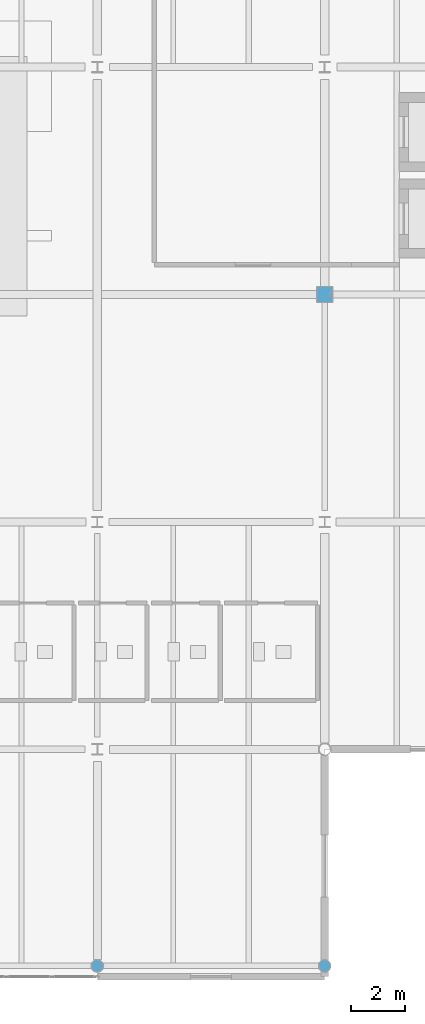
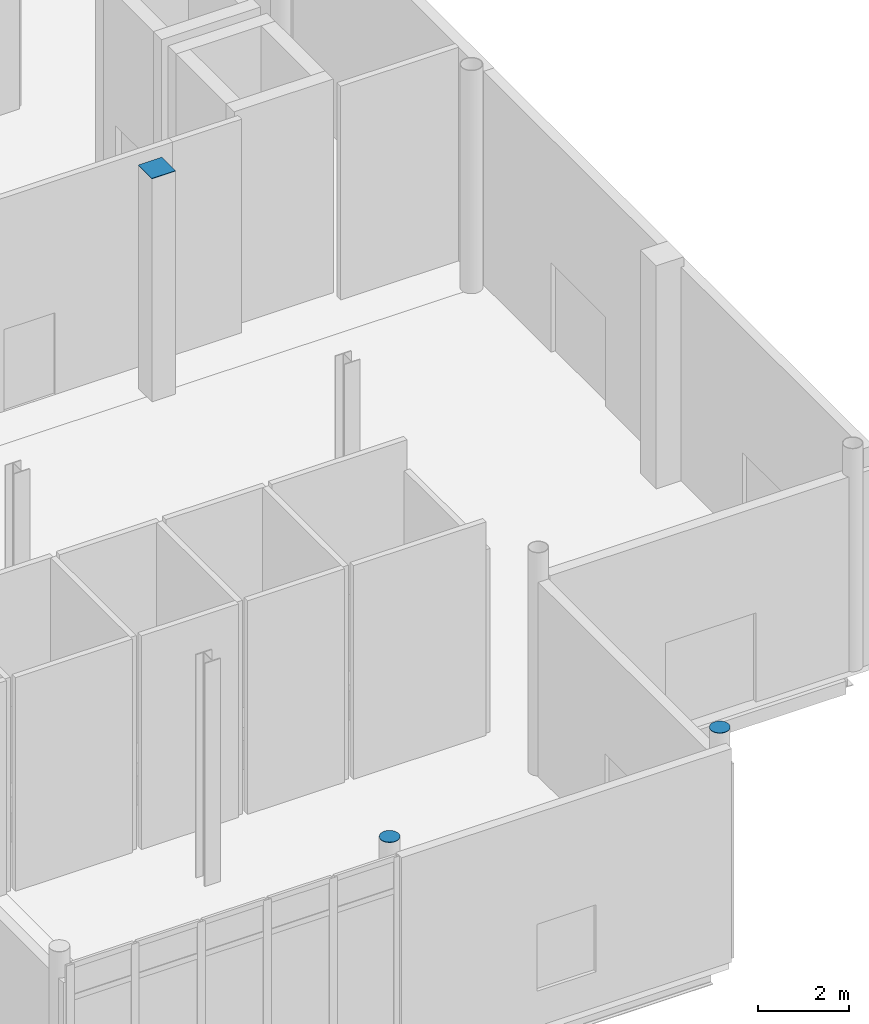
# One storey, part 61 of 85: 3 discrete accessories.
"""IFC4 building model written with IfcOpenShell, lengths in metres."""

import ifcopenshell
import ifcopenshell.guid

model = None  # the IFC model being written
_history = None  # IfcOwnerHistory: only IFC2X3 demands one
_inside = {}  # id of a spatial element -> (the spatial element, [elements in it])
_under = {}  # id of a project, library or spatial element -> (it, [spatial elements below it])
_declared = {}  # id of a project -> (the project, [libraries it declares])
_typed = {}  # id of a type object -> (the type object, [elements of that type])
_made_of = {}  # id of a material, layer set ... -> (it, [elements and type objects made of it])


def new_model(schema):
    """Start an empty IFC model of exactly this schema.

    Asked for "IFC4X3", IfcOpenShell would pick the latest addendum, in which some entities
    have other attributes; the version numbers below select the first issue.
    IFC2X3 requires an IfcOwnerHistory on every rooted entity: one is made here for all.
    """
    global model, _history
    if schema == "IFC4X3":
        model = ifcopenshell.file(schema_version=(4, 3, 0, 0))
    else:
        model = ifcopenshell.file(schema=schema)
    _inside.clear()
    _under.clear()
    _declared.clear()
    _typed.clear()
    _made_of.clear()
    _history = None
    if model.schema == "IFC2X3":
        org = make("IfcOrganization", Name="unknown")
        user = make(
            "IfcPersonAndOrganization",
            ThePerson=make("IfcPerson", FamilyName="unknown"),
            TheOrganization=org,
        )
        app = make(
            "IfcApplication",
            ApplicationDeveloper=org,
            Version="unknown",
            ApplicationFullName="unknown",
            ApplicationIdentifier="unknown",
        )
        _history = make(
            "IfcOwnerHistory",
            OwningUser=user,
            OwningApplication=app,
            ChangeAction="ADDED",
            CreationDate=0,
        )
    return model


def make(cls, **values):
    """One entity of the class cls with the attributes given. An attribute that is None is left unset."""
    return model.create_entity(
        cls, **{name: value for name, value in values.items() if value is not None}
    )


def rooted(cls, **values):
    """An entity with a GlobalId (a new one), such as an element, a storey or a relation."""
    return make(cls, GlobalId=ifcopenshell.guid.new(), OwnerHistory=_history, **values)


def si_unit(unit_type, name, prefix=None):
    """IfcSIUnit, for example si_unit("LENGTHUNIT", "METRE", prefix="MILLI")."""
    return make("IfcSIUnit", UnitType=unit_type, Prefix=prefix, Name=name)


def assignment(units):
    """IfcUnitAssignment: the units of a project."""
    return None if units is None else make("IfcUnitAssignment", Units=units)


def point(xyz):
    """IfcCartesianPoint."""
    return None if xyz is None else make("IfcCartesianPoint", Coordinates=xyz)


def direction(xyz):
    """IfcDirection."""
    return None if xyz is None else make("IfcDirection", DirectionRatios=xyz)


def frame(location, z_axis=None, x_axis=None):
    """IfcAxis2Placement3D, a coordinate frame: its origin and axes. An axis left out is left unset."""
    return make(
        "IfcAxis2Placement3D",
        Location=point(location),
        Axis=direction(z_axis),
        RefDirection=direction(x_axis),
    )


def frame_2d(location, x_axis=None):
    """IfcAxis2Placement2D, a coordinate frame in the plane: its origin and x axis."""
    return make(
        "IfcAxis2Placement2D", Location=point(location), RefDirection=direction(x_axis)
    )


def origin():
    """The frame at (0, 0, 0) with its axes left unset."""
    return frame((0.0, 0.0, 0.0))


def origin_2d():
    """The frame at (0, 0) in the plane with its x axis left unset."""
    return frame_2d((0.0, 0.0))


def place(relative_to, where):
    """IfcLocalPlacement: puts the frame where relative to a parent placement (None: the world)."""
    return make(
        "IfcLocalPlacement", PlacementRelTo=relative_to, RelativePlacement=where
    )


def context(
    kind, dimensions, precision=None, world=None, true_north=None, identifier=None
):
    """IfcGeometricRepresentationContext, for example the 3D "Model" context."""
    return make(
        "IfcGeometricRepresentationContext",
        ContextIdentifier=identifier,
        ContextType=kind,
        CoordinateSpaceDimension=dimensions,
        Precision=precision,
        WorldCoordinateSystem=world,
        TrueNorth=true_north,
    )


def subcontext(parent, identifier, kind, view, scale=None):
    """IfcGeometricRepresentationSubContext, for example "Body" below "Model"."""
    return make(
        "IfcGeometricRepresentationSubContext",
        ContextIdentifier=identifier,
        ContextType=kind,
        ParentContext=parent,
        TargetScale=scale,
        TargetView=view,
    )


def project(units=None, contexts=None):
    """IfcProject with its units and contexts."""
    return rooted(
        "IfcProject",
        Name="project",
        RepresentationContexts=contexts,
        UnitsInContext=assignment(units),
    )


def spatial(cls, under=None, at=None, **own):
    """A site, building, storey or space (cls), placed at a placement, below another one or the project."""
    s = rooted(cls, ObjectPlacement=at, **own)
    if under is not None:
        _under.setdefault(under.id(), (under, []))[1].append(s)
    return s


def profile(cls, at=None, kind="AREA", **sizes):
    """A parametric profile (cls). Its sizes go by their IFC names, for example OverallWidth=200.0."""
    return make(cls, ProfileType=kind, Position=at, **sizes)


def rectangle(**sizes):
    """IfcRectangleProfileDef."""
    return profile("IfcRectangleProfileDef", **sizes)


def circle(**sizes):
    """IfcCircleProfileDef."""
    return profile("IfcCircleProfileDef", **sizes)


def extrude(swept, where, along, depth):
    """IfcExtrudedAreaSolid: the profile swept, set in the frame where, extruded along a direction by depth."""
    return make(
        "IfcExtrudedAreaSolid",
        SweptArea=swept,
        Position=where,
        ExtrudedDirection=direction(along),
        Depth=depth,
    )


def shape(context_of_items, identifier, shape_type, items):
    """IfcShapeRepresentation: the items that make up one representation, for example the "Body"."""
    return make(
        "IfcShapeRepresentation",
        ContextOfItems=context_of_items,
        RepresentationIdentifier=identifier,
        RepresentationType=shape_type,
        Items=items,
    )


def material(Name=None, Category=None):
    """IfcMaterial."""
    return make("IfcMaterial", Name=Name, Category=Category)


def made_of(thing, what):
    """Note that an element or type object is made of a material, layer set ...; save() writes the relation."""
    if what is not None:
        _made_of.setdefault(what.id(), (what, []))[1].append(thing)
    return thing


def type_object(cls, material=None, **own):
    """A type object (cls), such as IfcWallType, which elements share."""
    return made_of(rooted(cls, **own), material)


def element(
    cls,
    number,
    at=None,
    inside=None,
    cuts=None,
    type_object=None,
    material=None,
    context=None,
    identifier="Body",
    shape_type=None,
    held_by="IfcProductDefinitionShape",
    body=None,
    shapes=None,
    **own,
):
    """One element of the class cls, such as IfcWall. Its Tag is "e" and its number.

    at: its placement. inside: the storey or other place that contains it. cuts: it is an
    opening in that element (IfcRelVoidsElement). A single representation is given by context,
    identifier, shape_type and body (its items); several are given by shapes. held_by: the class
    of the entity that holds the representations. save() writes the other relations.
    """
    e = rooted(cls, Tag="e%d" % number, ObjectPlacement=at, **own)
    if body is not None:
        shapes = [shape(context, identifier, shape_type, body)]
    if shapes is not None:
        e.Representation = make(held_by, Representations=shapes)
    if inside is not None:
        _inside.setdefault(inside.id(), (inside, []))[1].append(e)
    if cuts is not None:
        rooted(
            "IfcRelVoidsElement", RelatingBuildingElement=cuts, RelatedOpeningElement=e
        )
    if type_object is not None:
        _typed.setdefault(type_object.id(), (type_object, []))[1].append(e)
    return made_of(e, material)


def aggregate(whole, parts):
    """IfcRelAggregates: a whole, such as a stair, and the parts it consists of."""
    return rooted("IfcRelAggregates", RelatingObject=whole, RelatedObjects=parts)


def save(model, path):
    """Write the relations noted so far, then the file.

    IfcRelAggregates (storeys below a building ...), IfcRelContainedInSpatialStructure (elements
    in a storey), IfcRelDefinesByType, IfcRelAssociatesMaterial and IfcRelDeclares: one each for
    every whole, place, type object, material and project.
    """
    for whole, parts in _under.values():
        aggregate(whole, parts)
    for where, things in _inside.values():
        rooted(
            "IfcRelContainedInSpatialStructure",
            RelatedElements=things,
            RelatingStructure=where,
        )
    for kind, things in _typed.values():
        rooted("IfcRelDefinesByType", RelatedObjects=things, RelatingType=kind)
    for what, things in _made_of.values():
        rooted("IfcRelAssociatesMaterial", RelatedObjects=things, RelatingMaterial=what)
    for by, libraries in _declared.values():
        rooted("IfcRelDeclares", RelatingContext=by, RelatedDefinitions=libraries)
    model.write(path)


model = new_model("IFC4")

# Units and contexts
model_context = context("Model", 3, precision=1e-05, world=origin(), true_north=direction((0.0, 1.0)))
body_context = subcontext(model_context, "Body", "Model", "MODEL_VIEW")
ifc_project = project(units=[si_unit("LENGTHUNIT", "METRE"), si_unit("AREAUNIT", "SQUARE_METRE"), si_unit("VOLUMEUNIT", "CUBIC_METRE"), si_unit("PLANEANGLEUNIT", "RADIAN"), si_unit("MASSUNIT", "GRAM", prefix="KILO"), si_unit("THERMODYNAMICTEMPERATUREUNIT", "KELVIN")], contexts=[model_context])

# Site, building, storey
site_placement = place(None, origin())
site = spatial("IfcSite", under=ifc_project, at=site_placement, CompositionType="ELEMENT")
building_placement = place(site_placement, origin())
building = spatial("IfcBuilding", under=site, at=building_placement, Name="Lustrewick Department Store", CompositionType="ELEMENT")
storey_placement = place(building_placement, origin())
storey = spatial("IfcBuildingStorey", under=building, at=storey_placement, Name="L01", CompositionType="ELEMENT", Elevation=0.0)

# Discrete accessories
ifc_material = material(Name="Structural steel Q355C", Category="steel")
discrete_accessory_type = type_object("IfcDiscreteAccessoryType", Name="ECP-01", PredefinedType="USERDEFINED", material=ifc_material)
discrete_accessory_1_placement = place(storey_placement, frame((134.39990234375, 0.39990234375, 5.993896484375), z_axis=(0.0, 0.0, 1.0), x_axis=(1.0, 0.0, 0.0)))
element("IfcDiscreteAccessory", 1, at=discrete_accessory_1_placement, inside=storey, type_object=discrete_accessory_type, Name="L01 Welded Hollow-Section End-Cap Plate ECP-01", ObjectType="END_CAP_PLATE", PredefinedType="USERDEFINED", context=body_context, shape_type="SweptSolid", body=[
    extrude(circle(Radius=0.228515625, at=origin_2d()), origin(), (0.0, 0.0, 1.0), 0.01611328125),
])
discrete_accessory_2_placement = place(storey_placement, frame((142.800048828125, 25.199951171875, 5.993896484375), z_axis=(0.0, 0.0, 1.0), x_axis=(1.0, 0.0, 0.0)))
element("IfcDiscreteAccessory", 2, at=discrete_accessory_2_placement, inside=storey, type_object=discrete_accessory_type, Name="L01 Welded Hollow-Section End-Cap Plate ECP-01", ObjectType="END_CAP_PLATE", PredefinedType="USERDEFINED", context=body_context, shape_type="SweptSolid", body=[
    extrude(rectangle(XDim=0.60009765625, YDim=0.60009765625, at=origin_2d()), origin(), (0.0, 0.0, 1.0), 0.01611328125),
])
discrete_accessory_3_placement = place(storey_placement, frame((142.800048828125, 0.39990234375, 5.993896484375), z_axis=(0.0, 0.0, 1.0), x_axis=(1.0, 0.0, 0.0)))
element("IfcDiscreteAccessory", 3, at=discrete_accessory_3_placement, inside=storey, type_object=discrete_accessory_type, Name="L01 Welded Hollow-Section End-Cap Plate ECP-01", ObjectType="END_CAP_PLATE", PredefinedType="USERDEFINED", context=body_context, shape_type="SweptSolid", body=[
    extrude(circle(Radius=0.228515625, at=origin_2d()), origin(), (0.0, 0.0, 1.0), 0.01611328125),
])

save(model, "model.ifc")
